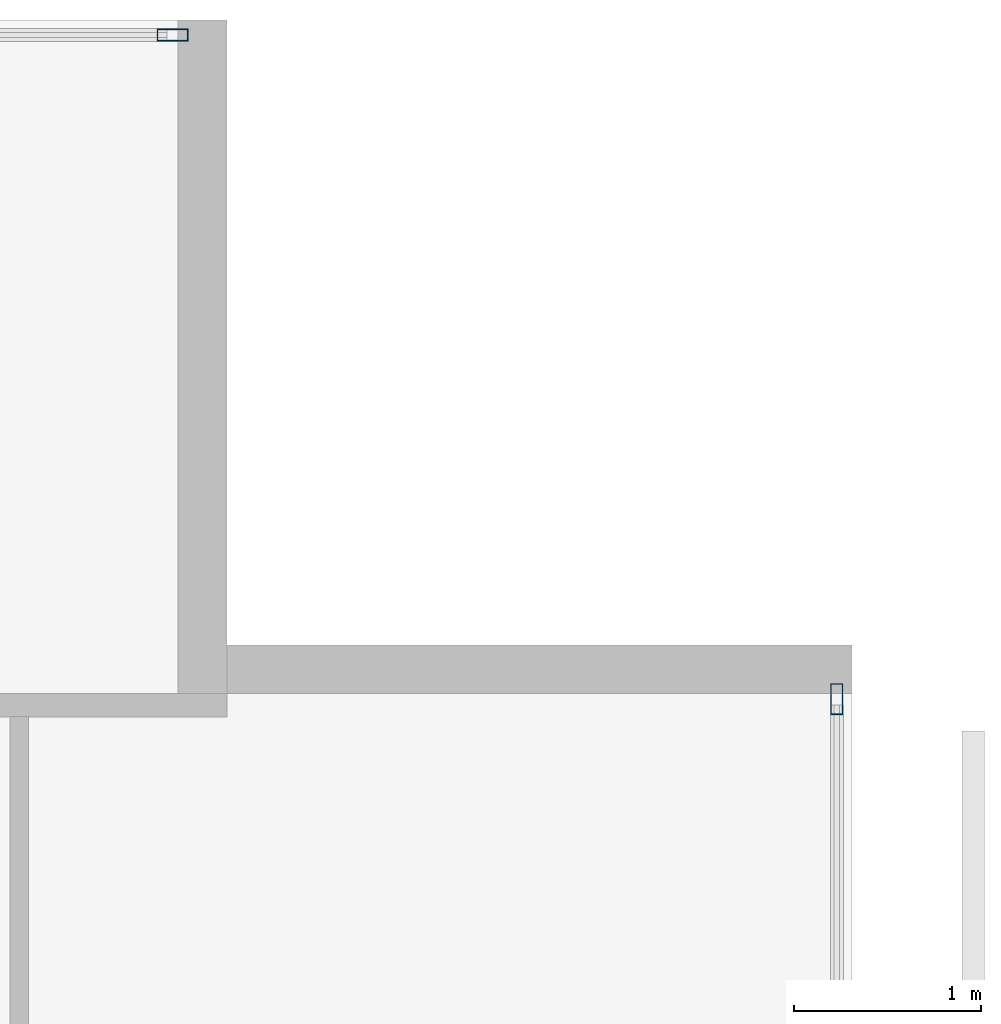
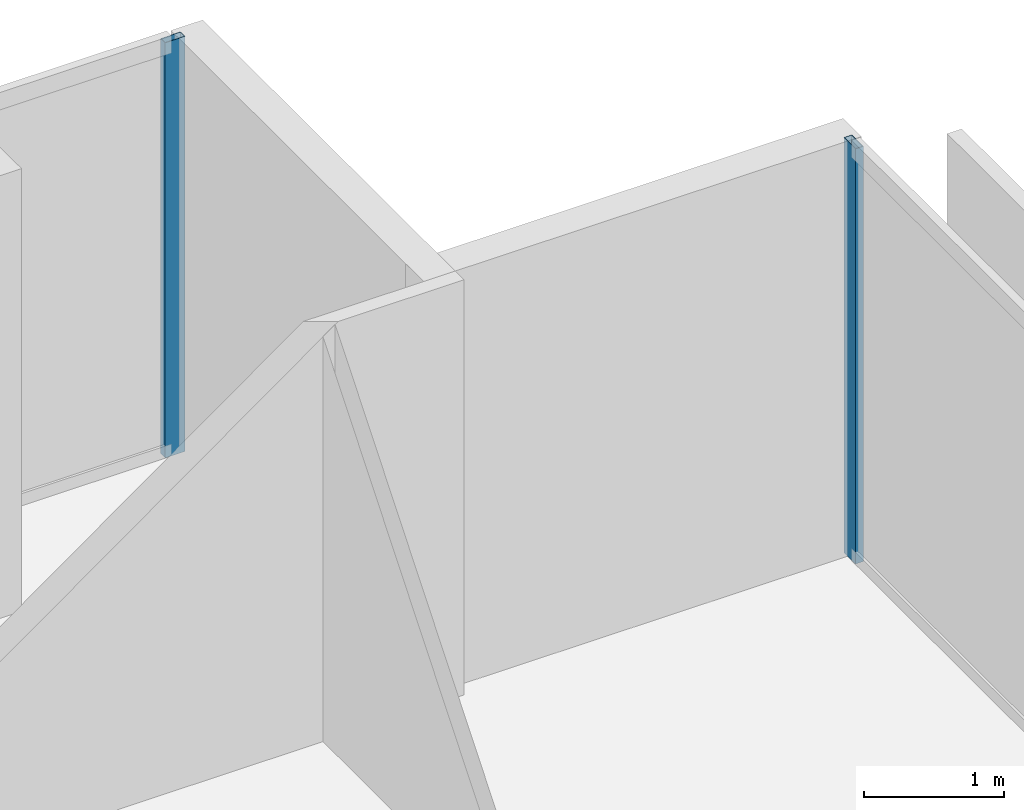
# One storey, part 31 of 40: 2 members, 2 elements without a shape of their own.
"""IFC4 building model written with IfcOpenShell, lengths in metres."""

from ifc_helpers import new_model, si_unit, direction, frame, origin, origin_2d, place, context, subcontext, project, spatial, hollow_rectangle, extrude, material, layer, layer_set, material_profile, profile_set, type_object, element, aggregate, save


model = new_model("IFC4")

# Units and contexts
model_context = context("Model", 3, precision=1e-05, world=origin(), true_north=direction((0.0, 1.0)))
body_context = subcontext(model_context, "Body", "Model", "MODEL_VIEW")
ifc_project = project(units=[si_unit("LENGTHUNIT", "METRE"), si_unit("AREAUNIT", "SQUARE_METRE"), si_unit("VOLUMEUNIT", "CUBIC_METRE"), si_unit("PLANEANGLEUNIT", "RADIAN"), si_unit("MASSUNIT", "GRAM", prefix="KILO")], contexts=[model_context])

# Site, building, storey
site_placement = place(None, origin())
site = spatial("IfcSite", under=ifc_project, at=site_placement, CompositionType="ELEMENT")
building_placement = place(site_placement, origin())
building = spatial("IfcBuilding", under=site, at=building_placement, Name="Maruvema Waterfront Hotel and Observation Tower", CompositionType="ELEMENT")
storey_placement = place(building_placement, frame((0.0, 0.0, 50.050048828125)))
storey = spatial("IfcBuildingStorey", under=building, at=storey_placement, Name="L11", CompositionType="ELEMENT", Elevation=50.050048828125)

# Curtain wall, member
ifc_material_1 = material(Name="Anodised bronze aluminium and solar-control low-E IGU", Category="aluminium")
ifc_layer = layer(ifc_material_1, 0.159912109375, Name="Zone 1 Bronze Inner Thermal Curtain Wall System CW-02")
ifc_layer_set = layer_set([ifc_layer], Name="Anodised bronze aluminium and solar-control low-E IGU")
curtain_wall_type = type_object("IfcCurtainWallType", Name="Zone 1 Bronze Inner Thermal Curtain Wall System CW-02", PredefinedType="USERDEFINED", material=ifc_layer_set)
curtain_wall_1_placement = place(storey_placement, origin())
curtain_wall_1 = element("IfcCurtainWall", 1, at=curtain_wall_1_placement, inside=storey, type_object=curtain_wall_type, Name="L11 Curtain Wall CW-L11-E", ObjectType="UNITISED CURTAIN WALL", PredefinedType="USERDEFINED")
ifc_material_2 = material(Name="Anodised architectural bronze aluminium", Category="aluminium")
ifc_material_profile = material_profile(ifc_material_2, hollow_rectangle(XDim=0.06494140625, YDim=0.1650390625, WallThickness=0.00390625, at=origin_2d()), Name="ALU-M65x165")
ifc_profile_set = profile_set([ifc_material_profile], Name="Anodised architectural bronze aluminium")
member_type = type_object("IfcMemberType", Name="Curtain Wall Primary Mullion ALU-M65x165", PredefinedType="MULLION", material=ifc_profile_set)
member_1_placement = place(storey_placement, frame((64.719970703125, 50.3701171875, 0.0), z_axis=(0.0, 0.0, 1.0), x_axis=(-1.0, 0.0, 0.0)))
member_1 = element("IfcMember", 2, at=member_1_placement, type_object=member_type, Name="CW-02 mullion 7", PredefinedType="MULLION", context=body_context, shape_type="SweptSolid", body=[
    extrude(hollow_rectangle(XDim=0.06494140625, YDim=0.1650390625, WallThickness=0.00390625, at=origin_2d()), origin(), (0.0, 0.0, 1.0), 3.60986328125),
])
aggregate(curtain_wall_1, [member_1])

curtain_wall_2_placement = place(storey_placement, origin())
curtain_wall_2 = element("IfcCurtainWall", 3, at=curtain_wall_2_placement, inside=storey, type_object=curtain_wall_type, Name="L11 Curtain Wall CW-L11-NE", ObjectType="UNITISED CURTAIN WALL", PredefinedType="USERDEFINED")
member_2_placement = place(storey_placement, frame((61.169921875, 53.919921875, 0.0), z_axis=(0.0, 0.0, 1.0), x_axis=(0.0, -1.0, 0.0)))
member_2 = element("IfcMember", 4, at=member_2_placement, type_object=member_type, Name="CW-02 mullion 1", PredefinedType="MULLION", context=body_context, shape_type="SweptSolid", body=[
    extrude(hollow_rectangle(XDim=0.06494140625, YDim=0.1650390625, WallThickness=0.00390625, at=origin_2d()), origin(), (0.0, 0.0, 1.0), 3.60986328125),
])
aggregate(curtain_wall_2, [member_2])

save(model, "model.ifc")
